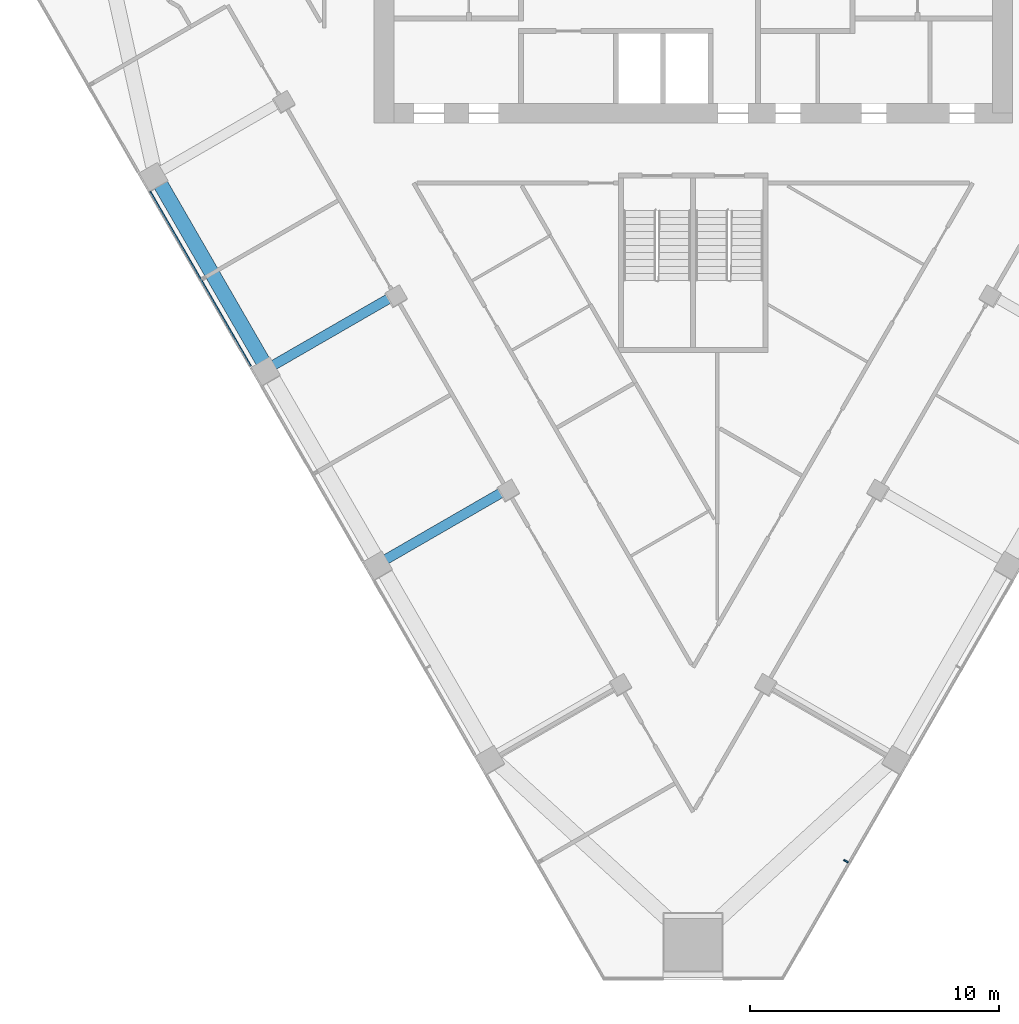
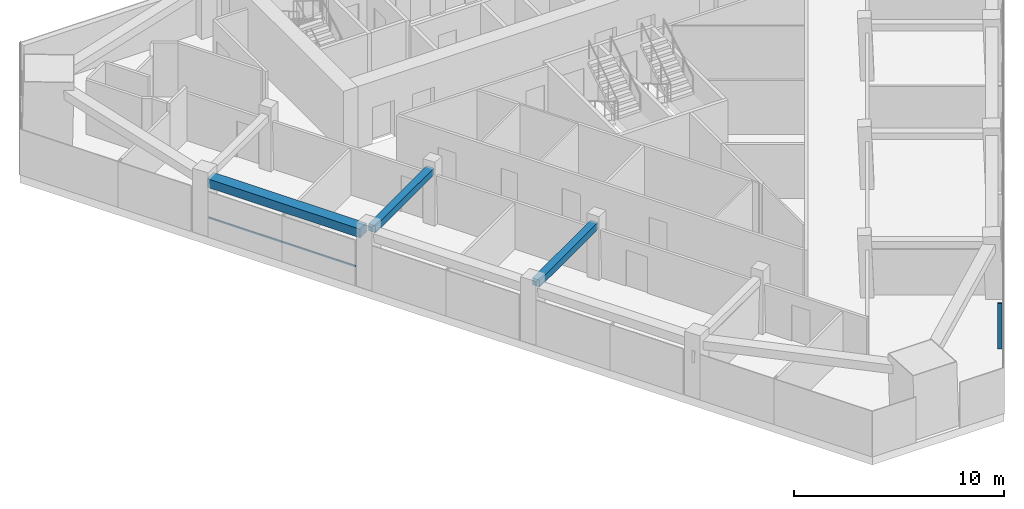
# One storey, part 3 of 13: 3 beams, 2 members, 2 elements without a shape of their own.
"""IFC4 building model written with IfcOpenShell, lengths in metres."""

from ifc_helpers import new_model, si_unit, direction, frame, origin, origin_2d, place, context, subcontext, project, spatial, rectangle, extrude, material, layer, layer_set, material_profile, profile_set, type_object, element, aggregate, save


model = new_model("IFC4")

# Units and contexts
model_context = context("Model", 3, precision=1e-05, world=origin(), true_north=direction((0.0, 1.0)))
body_context = subcontext(model_context, "Body", "Model", "MODEL_VIEW")
ifc_project = project(units=[si_unit("LENGTHUNIT", "METRE"), si_unit("AREAUNIT", "SQUARE_METRE"), si_unit("VOLUMEUNIT", "CUBIC_METRE"), si_unit("PLANEANGLEUNIT", "RADIAN"), si_unit("MASSUNIT", "GRAM", prefix="KILO")], contexts=[model_context])

# Site, building, storey
site_placement = place(None, origin())
site = spatial("IfcSite", under=ifc_project, at=site_placement, CompositionType="ELEMENT")
building_placement = place(site_placement, origin())
building = spatial("IfcBuilding", under=site, at=building_placement, Name="Altiplano Prism Tower", CompositionType="ELEMENT")
storey_placement = place(building_placement, frame((0.0, 0.0, 156.60009765625)))
storey = spatial("IfcBuildingStorey", under=building, at=storey_placement, Name="L40", CompositionType="ELEMENT", Elevation=156.60009765625)

# Curtain wall, member
ifc_material_1 = material(Name="Aluminium and glass", Category="aluminium")
ifc_layer = layer(ifc_material_1, 0.303955078125)
ifc_layer_set = layer_set([ifc_layer], Name="Aluminium and glass")
curtain_wall_type = type_object("IfcCurtainWallType", Name="CW2 lounge-band unitised glazing", PredefinedType="NOTDEFINED", material=ifc_layer_set)
curtain_wall_1_placement = place(storey_placement, origin())
curtain_wall_1 = element("IfcCurtainWall", 1, at=curtain_wall_1_placement, inside=storey, type_object=curtain_wall_type, Name="CW2 curtain wall south-east face L40", PredefinedType="NOTDEFINED")
ifc_material_2 = material(Name="Aluminium", Category="aluminium")
ifc_material_profile_1 = material_profile(ifc_material_2, rectangle(XDim=0.199951171875, YDim=0.06005859375, at=origin_2d()), Name="CW2 mullion 60 x 200")
ifc_profile_set_1 = profile_set([ifc_material_profile_1], Name="Aluminium")
member_type_1 = type_object("IfcMemberType", Name="CW2 mullion 60 x 200", PredefinedType="MULLION", material=ifc_profile_set_1)
member_1_placement = place(storey_placement, frame((91.130126953125, 63.001220703125, 0.0), z_axis=(0.0, 0.0, 1.0), x_axis=(-0.866025403025, 0.500000001315, 0.0)))
member_1 = element("IfcMember", 2, at=member_1_placement, type_object=member_type_1, Name="CW2 mullion", PredefinedType="MULLION", context=body_context, shape_type="SweptSolid", body=[
    extrude(rectangle(XDim=0.199951171875, YDim=0.06005859375, at=origin_2d()), origin(), (0.0, 0.0, 1.0), 2.64990234375),
])
aggregate(curtain_wall_1, [member_1])

curtain_wall_2_placement = place(storey_placement, origin())
curtain_wall_2 = element("IfcCurtainWall", 3, at=curtain_wall_2_placement, inside=storey, type_object=curtain_wall_type, Name="CW2 curtain wall south-west face L40", PredefinedType="NOTDEFINED")
ifc_material_profile_2 = material_profile(ifc_material_2, rectangle(XDim=0.06005859375, YDim=0.080078125, at=origin_2d()), Name="CW2 transom 80 x 60")
ifc_profile_set_2 = profile_set([ifc_material_profile_2], Name="Aluminium")
member_type_2 = type_object("IfcMemberType", Name="CW2 transom 80 x 60", PredefinedType="USERDEFINED", material=ifc_profile_set_2)
member_2_placement = place(storey_placement, frame((63.219970703125, 89.847412109375, 1.099853515625), z_axis=(0.499994808408, -0.866028401131, 0.0), x_axis=(0.866028401131, 0.499994808408, 0.0)))
member_2 = element("IfcMember", 4, at=member_2_placement, type_object=member_type_2, Name="CW2 transom", ObjectType="TRANSOM", PredefinedType="USERDEFINED", context=body_context, shape_type="SweptSolid", body=[
    extrude(rectangle(XDim=0.06005859375, YDim=0.080078125, at=origin_2d()), origin(), (0.0, 0.0, 1.0), 8.06982421875),
])
aggregate(curtain_wall_2, [member_2])

# Beams
ifc_material_3 = material(Name="Concrete C60/75", Category="concrete")
ifc_material_profile_3 = material_profile(ifc_material_3, rectangle(XDim=0.60009765625, YDim=0.5, at=origin_2d()), Name="Edge beam 600x500")
ifc_profile_set_3 = profile_set([ifc_material_profile_3], Name="Concrete C60/75")
beam_type_1 = type_object("IfcBeamType", Name="Edge beam 600x500", PredefinedType="SPANDREL", material=ifc_profile_set_3)
beam_placement = place(storey_placement, frame((63.565185546875, 90.2783203125, 2.89990234375), z_axis=(0.500010445942, -0.866019372733, 0.0), x_axis=(0.866019372733, 0.500010445942, 0.0)))
element("IfcBeam", 5, at=beam_placement, inside=storey, type_object=beam_type_1, Name="Edge beam P11-P12 L41", PredefinedType="SPANDREL", context=body_context, shape_type="SweptSolid", body=[
    extrude(rectangle(XDim=0.60009765625, YDim=0.5, at=origin_2d()), origin(), (0.0, 0.0, 1.0), 8.389892578125),
])
ifc_material_profile_4 = material_profile(ifc_material_3, rectangle(XDim=0.39990234375, YDim=0.39990234375, at=origin_2d()), Name="Tie beam 400x400")
ifc_profile_set_4 = profile_set([ifc_material_profile_4], Name="Concrete C60/75")
beam_type_2 = type_object("IfcBeamType", Name="Tie beam 400x400", PredefinedType="BEAM", material=ifc_profile_set_4)
for number, where, z_axis, x_axis, name in (
    (6, (72.974609375, 85.6708984375, 2.949951171875), (-0.866016055733, -0.50001619095, 0.0), (0.50001619095, -0.866016055733, 0.0), "Tie beam I12 L41"),
    (7, (77.474609375, 77.876708984375, 2.949951171875), (-0.866016055733, -0.50001619095, 0.0), (0.50001619095, -0.866016055733, 0.0), "Tie beam I13 L41"),
):
    element("IfcBeam", number, at=place(storey_placement, frame(where, z_axis=z_axis, x_axis=x_axis)), inside=storey, type_object=beam_type_2, Name=name, PredefinedType="BEAM", context=body_context, shape_type="SweptSolid", body=[
        extrude(rectangle(XDim=0.39990234375, YDim=0.39990234375, at=origin_2d()), origin(), (0.0, 0.0, 1.0), 5.539794921875),
    ])

save(model, "model.ifc")
